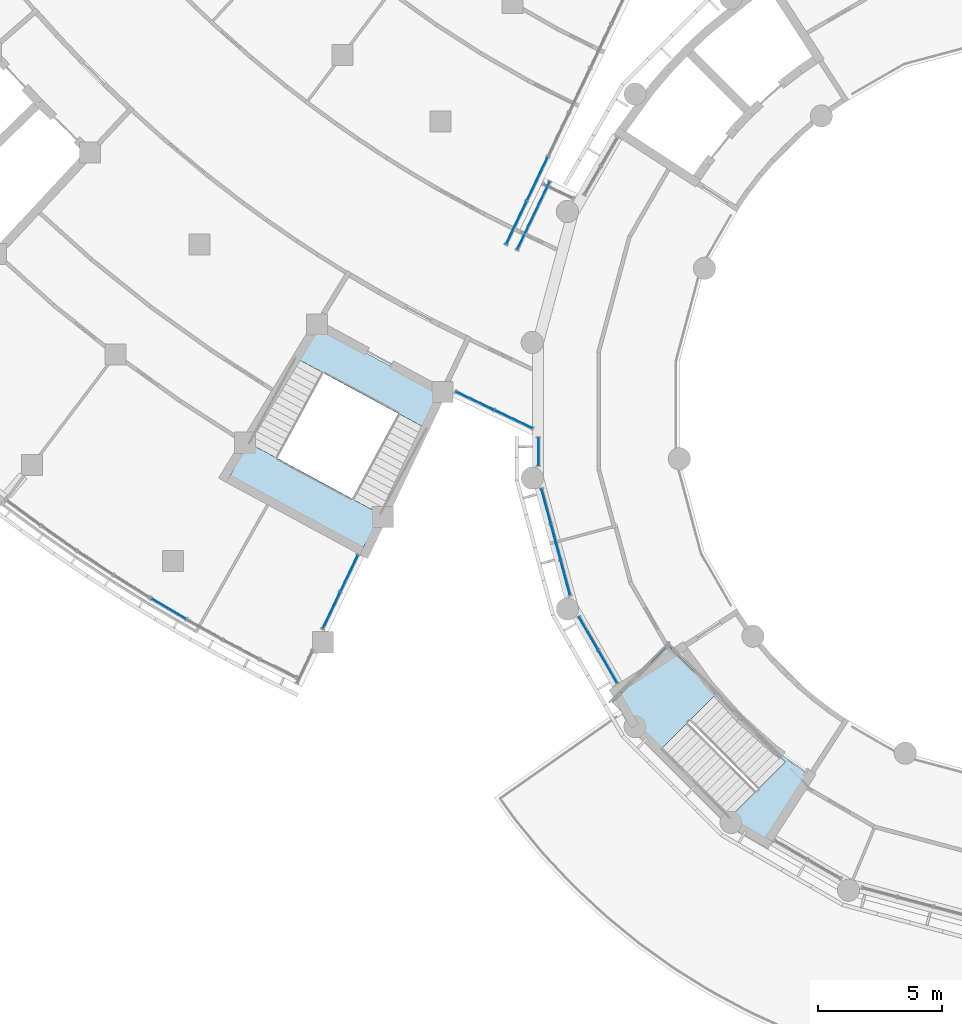
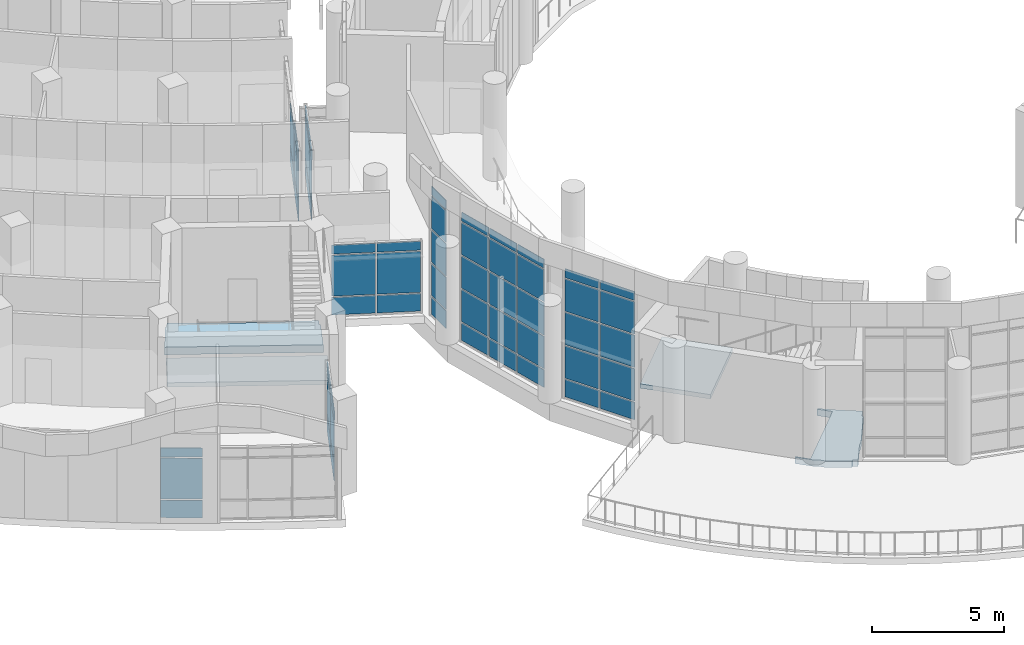
# One storey, part 43 of 136: 53 plates, 4 slabs, 10 elements without a shape of their own.
"""IFC4 building model written with IfcOpenShell, lengths in metres."""

from ifc_helpers import new_model, si_unit, direction, frame, origin, origin_2d, place, context, subcontext, project, spatial, polyline, rectangle, outline, extrude, material, layer, layer_set, type_object, element, aggregate, save


model = new_model("IFC4")

# Units and contexts
model_context = context("Model", 3, precision=1e-05, world=origin(), true_north=direction((0.0, 1.0)))
body_context = subcontext(model_context, "Body", "Model", "MODEL_VIEW")
ifc_project = project(units=[si_unit("LENGTHUNIT", "METRE"), si_unit("AREAUNIT", "SQUARE_METRE"), si_unit("VOLUMEUNIT", "CUBIC_METRE"), si_unit("PLANEANGLEUNIT", "RADIAN"), si_unit("MASSUNIT", "GRAM", prefix="KILO")], contexts=[model_context])

# Site, building, storey
site_placement = place(None, origin())
site = spatial("IfcSite", under=ifc_project, at=site_placement, CompositionType="ELEMENT")
building_placement = place(site_placement, origin())
building = spatial("IfcBuilding", under=site, at=building_placement, Name="Bougainvillea Quay General Hospital", CompositionType="ELEMENT")
storey_placement = place(building_placement, frame((0.0, 0.0, 5.39990234375)))
storey = spatial("IfcBuildingStorey", under=building, at=storey_placement, Name="L01", CompositionType="ELEMENT", Elevation=5.39990234375)

# Curtain wall, plates
ifc_material_1 = material(Name="Aluminium curtain wall system, powder-coated glazed", Category="aluminium")
curtain_wall_type_1 = type_object("IfcCurtainWallType", Name="Unitised curtain wall CW-2100", PredefinedType="NOTDEFINED", material=ifc_material_1)
curtain_wall_1_placement = place(storey_placement, origin())
curtain_wall_1 = element("IfcCurtainWall", 1, at=curtain_wall_1_placement, inside=storey, type_object=curtain_wall_type_1, Name="CW-W01 a01b0", PredefinedType="NOTDEFINED")
ifc_material_2 = material(Name="Insulated aluminium spandrel panel, white", Category="aluminium")
ifc_layer_1 = layer(ifc_material_2, 0.028076171875)
ifc_layer_set_1 = layer_set([ifc_layer_1], Name="Insulated aluminium spandrel panel, white")
plate_type_1 = type_object("IfcPlateType", Name="Insulated spandrel panel white 28", PredefinedType="CURTAIN_PANEL", material=ifc_layer_set_1)
plate_1_placement = place(storey_placement, frame((73.6884765625, 65.97265625, 0.06005859375), z_axis=(0.0, 0.0, 1.0), x_axis=(-0.860561565158, 0.509346436695, 0.0)))
plate_1 = element("IfcPlate", 2, at=plate_1_placement, type_object=plate_type_1, Name="CW-W01 spandrel panel 4.1", PredefinedType="CURTAIN_PANEL", context=body_context, shape_type="SweptSolid", body=[
    extrude(rectangle(XDim=1.593994140625, YDim=0.028076171875, at=origin_2d()), origin(), (0.0, 0.0, 1.0), 0.81005859375),
])
plate_2_placement = place(storey_placement, frame((73.6884765625, 65.97265625, 2.88037109375), z_axis=(0.0, 0.0, 1.0), x_axis=(-0.860561565158, 0.509346436695, 0.0)))
plate_2 = element("IfcPlate", 3, at=plate_2_placement, type_object=plate_type_1, Name="CW-W01 spandrel panel 4.3", PredefinedType="CURTAIN_PANEL", context=body_context, shape_type="SweptSolid", body=[
    extrude(rectangle(XDim=1.593994140625, YDim=0.028076171875, at=origin_2d()), origin(), (0.0, 0.0, 1.0), 0.409912109375),
])

curtain_wall_type_2 = type_object("IfcCurtainWallType", Name="Unitised curtain wall CW-1691", PredefinedType="NOTDEFINED", material=ifc_material_1)
curtain_wall_2_placement = place(storey_placement, origin())
curtain_wall_2 = element("IfcCurtainWall", 4, at=curtain_wall_2_placement, inside=storey, type_object=curtain_wall_type_2, Name="CW-AE 01", PredefinedType="NOTDEFINED")
plate_3_placement = place(storey_placement, frame((80.26123046875, 65.90966796875, 0.06005859375), z_axis=(0.0, 0.0, 1.0), x_axis=(0.430530445105, 0.902576055431, 0.0)))
plate_3 = element("IfcPlate", 5, at=plate_3_placement, type_object=plate_type_1, Name="CW-AE spandrel panel 1.1", PredefinedType="CURTAIN_PANEL", context=body_context, shape_type="SweptSolid", body=[
    extrude(rectangle(XDim=1.600341796875, YDim=0.028076171875, at=origin_2d()), origin(), (0.0, 0.0, 1.0), 0.81005859375),
])
plate_4_placement = place(storey_placement, frame((80.26123046875, 65.90966796875, 2.88037109375), z_axis=(0.0, 0.0, 1.0), x_axis=(0.430530445105, 0.902576055431, 0.0)))
plate_4 = element("IfcPlate", 6, at=plate_4_placement, type_object=plate_type_1, Name="CW-AE spandrel panel 1.3", PredefinedType="CURTAIN_PANEL", context=body_context, shape_type="SweptSolid", body=[
    extrude(rectangle(XDim=1.600341796875, YDim=0.028076171875, at=origin_2d()), origin(), (0.0, 0.0, 1.0), 0.409912109375),
])
plate_5_placement = place(storey_placement, frame((80.97607421875, 67.408203125, 0.06005859375), z_axis=(0.0, 0.0, 1.0), x_axis=(0.430530445105, 0.902576055431, 0.0)))
plate_5 = element("IfcPlate", 7, at=plate_5_placement, type_object=plate_type_1, Name="CW-AE spandrel panel 2.1", PredefinedType="CURTAIN_PANEL", context=body_context, shape_type="SweptSolid", body=[
    extrude(rectangle(XDim=1.600341796875, YDim=0.028076171875, at=origin_2d()), origin(), (0.0, 0.0, 1.0), 0.81005859375),
])
plate_6_placement = place(storey_placement, frame((80.97607421875, 67.408203125, 2.88037109375), z_axis=(0.0, 0.0, 1.0), x_axis=(0.430530445105, 0.902576055431, 0.0)))
plate_6 = element("IfcPlate", 8, at=plate_6_placement, type_object=plate_type_1, Name="CW-AE spandrel panel 2.3", PredefinedType="CURTAIN_PANEL", context=body_context, shape_type="SweptSolid", body=[
    extrude(rectangle(XDim=1.600341796875, YDim=0.028076171875, at=origin_2d()), origin(), (0.0, 0.0, 1.0), 0.409912109375),
])

curtain_wall_type_3 = type_object("IfcCurtainWallType", Name="Unitised curtain wall CW-1757", PredefinedType="NOTDEFINED", material=ifc_material_1)
curtain_wall_3_placement = place(storey_placement, origin())
curtain_wall_3 = element("IfcCurtainWall", 9, at=curtain_wall_3_placement, inside=storey, type_object=curtain_wall_type_3, Name="CW-AE 00", PredefinedType="NOTDEFINED")
plate_7_placement = place(storey_placement, frame((86.062744140625, 74.382568359375, 0.06005859375), z_axis=(0.0, 0.0, 1.0), x_axis=(0.902608211345, -0.430463026068, 0.0)))
plate_7 = element("IfcPlate", 10, at=plate_7_placement, type_object=plate_type_1, Name="CW-AE spandrel panel 1.1", PredefinedType="CURTAIN_PANEL", context=body_context, shape_type="SweptSolid", body=[
    extrude(rectangle(XDim=1.666748046875, YDim=0.028076171875, at=origin_2d()), origin(), (0.0, 0.0, 1.0), 0.81005859375),
])
plate_8_placement = place(storey_placement, frame((86.062744140625, 74.382568359375, 2.88037109375), z_axis=(0.0, 0.0, 1.0), x_axis=(0.902608211345, -0.430463026068, 0.0)))
plate_8 = element("IfcPlate", 11, at=plate_8_placement, type_object=plate_type_1, Name="CW-AE spandrel panel 1.3", PredefinedType="CURTAIN_PANEL", context=body_context, shape_type="SweptSolid", body=[
    extrude(rectangle(XDim=1.666748046875, YDim=0.028076171875, at=origin_2d()), origin(), (0.0, 0.0, 1.0), 0.409912109375),
])
plate_9_placement = place(storey_placement, frame((87.621337890625, 73.63916015625, 0.06005859375), z_axis=(0.0, 0.0, 1.0), x_axis=(0.902608211345, -0.430463026068, 0.0)))
plate_9 = element("IfcPlate", 12, at=plate_9_placement, type_object=plate_type_1, Name="CW-AE spandrel panel 2.1", PredefinedType="CURTAIN_PANEL", context=body_context, shape_type="SweptSolid", body=[
    extrude(rectangle(XDim=1.666748046875, YDim=0.028076171875, at=origin_2d()), origin(), (0.0, 0.0, 1.0), 0.81005859375),
])
plate_10_placement = place(storey_placement, frame((87.621337890625, 73.63916015625, 2.88037109375), z_axis=(0.0, 0.0, 1.0), x_axis=(0.902608211345, -0.430463026068, 0.0)))
plate_10 = element("IfcPlate", 13, at=plate_10_placement, type_object=plate_type_1, Name="CW-AE spandrel panel 2.3", PredefinedType="CURTAIN_PANEL", context=body_context, shape_type="SweptSolid", body=[
    extrude(rectangle(XDim=1.666748046875, YDim=0.028076171875, at=origin_2d()), origin(), (0.0, 0.0, 1.0), 0.409912109375),
])

curtain_wall_type_4 = type_object("IfcCurtainWallType", Name="Unitised curtain wall CW-3140", PredefinedType="NOTDEFINED", material=ifc_material_1)
curtain_wall_4_placement = place(storey_placement, origin())
curtain_wall_4 = element("IfcCurtainWall", 14, at=curtain_wall_4_placement, inside=storey, type_object=curtain_wall_type_4, Name="CW-AE 00", PredefinedType="NOTDEFINED")
plate_11_placement = place(storey_placement, frame((88.4296875, 81.873779296875, 0.06005859375), z_axis=(0.0, 0.0, 1.0), x_axis=(-0.430700101624, -0.902495109384, 0.0)))
plate_11 = element("IfcPlate", 15, at=plate_11_placement, type_object=plate_type_1, Name="CW-AE spandrel panel 1.1", PredefinedType="CURTAIN_PANEL", context=body_context, shape_type="SweptSolid", body=[
    extrude(rectangle(XDim=3.01904296875, YDim=0.028076171875, at=origin_2d()), origin(), (0.0, 0.0, 1.0), 0.81005859375),
])
plate_12_placement = place(storey_placement, frame((88.4296875, 81.873779296875, 2.88037109375), z_axis=(0.0, 0.0, 1.0), x_axis=(-0.430700101624, -0.902495109384, 0.0)))
plate_12 = element("IfcPlate", 16, at=plate_12_placement, type_object=plate_type_1, Name="CW-AE spandrel panel 1.3", PredefinedType="CURTAIN_PANEL", context=body_context, shape_type="SweptSolid", body=[
    extrude(rectangle(XDim=3.01904296875, YDim=0.028076171875, at=origin_2d()), origin(), (0.0, 0.0, 1.0), 0.409912109375),
])

curtain_wall_type_5 = type_object("IfcCurtainWallType", Name="Unitised curtain wall CW-1985", PredefinedType="NOTDEFINED", material=ifc_material_1)
curtain_wall_5_placement = place(storey_placement, origin())
curtain_wall_5 = element("IfcCurtainWall", 17, at=curtain_wall_5_placement, inside=storey, type_object=curtain_wall_type_5, Name="CW-AE 00", PredefinedType="NOTDEFINED")
plate_13_placement = place(storey_placement, frame((87.736083984375, 81.58203125, 0.06005859375), z_axis=(0.0, 0.0, 1.0), x_axis=(0.430563040838, 0.902560506484, 0.0)))
plate_13 = element("IfcPlate", 18, at=plate_13_placement, type_object=plate_type_1, Name="CW-AE spandrel panel 1.1", PredefinedType="CURTAIN_PANEL", context=body_context, shape_type="SweptSolid", body=[
    extrude(rectangle(XDim=1.894775390625, YDim=0.028076171875, at=origin_2d()), origin(), (0.0, 0.0, 1.0), 0.81005859375),
])
plate_14_placement = place(storey_placement, frame((87.736083984375, 81.58203125, 2.88037109375), z_axis=(0.0, 0.0, 1.0), x_axis=(0.430563040838, 0.902560506484, 0.0)))
plate_14 = element("IfcPlate", 19, at=plate_14_placement, type_object=plate_type_1, Name="CW-AE spandrel panel 1.3", PredefinedType="CURTAIN_PANEL", context=body_context, shape_type="SweptSolid", body=[
    extrude(rectangle(XDim=1.894775390625, YDim=0.028076171875, at=origin_2d()), origin(), (0.0, 0.0, 1.0), 0.409912109375),
])
plate_15_placement = place(storey_placement, frame((88.584228515625, 83.35986328125, 0.06005859375), z_axis=(0.0, 0.0, 1.0), x_axis=(0.430563040838, 0.902560506484, 0.0)))
plate_15 = element("IfcPlate", 20, at=plate_15_placement, type_object=plate_type_1, Name="CW-AE spandrel panel 2.1", PredefinedType="CURTAIN_PANEL", context=body_context, shape_type="SweptSolid", body=[
    extrude(rectangle(XDim=1.9248046875, YDim=0.028076171875, at=origin_2d()), origin(), (0.0, 0.0, 1.0), 0.81005859375),
])

curtain_wall_type_6 = type_object("IfcCurtainWallType", Name="Unitised curtain wall CW-1211", PredefinedType="NOTDEFINED", material=ifc_material_1)
curtain_wall_6_placement = place(storey_placement, origin())
curtain_wall_6 = element("IfcCurtainWall", 21, at=curtain_wall_6_placement, inside=storey, type_object=curtain_wall_type_6, Name="CW-D 00", PredefinedType="NOTDEFINED")
plate_16_placement = place(storey_placement, frame((88.6298828125, 72.33447265625, 0.06005859375), z_axis=(0.0, 0.0, 1.0), x_axis=(0.0, -1.0, 0.0)))
plate_16 = element("IfcPlate", 22, at=plate_16_placement, type_object=plate_type_1, Name="CW-D spandrel panel 1.1", PredefinedType="CURTAIN_PANEL", context=body_context, shape_type="SweptSolid", body=[
    extrude(rectangle(XDim=1.091064453125, YDim=0.028076171875, at=origin_2d()), origin(), (0.0, 0.0, 1.0), 0.81005859375),
])
plate_17_placement = place(storey_placement, frame((88.6298828125, 72.33447265625, 5.580078125), z_axis=(0.0, 0.0, 1.0), x_axis=(0.0, -1.0, 0.0)))
plate_17 = element("IfcPlate", 23, at=plate_17_placement, type_object=plate_type_1, Name="CW-D spandrel panel 1.5", PredefinedType="CURTAIN_PANEL", context=body_context, shape_type="SweptSolid", body=[
    extrude(rectangle(XDim=1.091064453125, YDim=0.028076171875, at=origin_2d()), origin(), (0.0, 0.0, 1.0), 0.409912109375),
])

curtain_wall_type_7 = type_object("IfcCurtainWallType", Name="Unitised curtain wall CW-1514", PredefinedType="NOTDEFINED", material=ifc_material_1)
curtain_wall_7_placement = place(storey_placement, origin())
curtain_wall_7 = element("IfcCurtainWall", 24, at=curtain_wall_7_placement, inside=storey, type_object=curtain_wall_type_7, Name="CW-D 00", PredefinedType="NOTDEFINED")
plate_18_placement = place(storey_placement, frame((88.94287109375, 70.1240234375, 0.06005859375), z_axis=(0.0, 0.0, 1.0), x_axis=(0.258854621298, -0.965916292974, 0.0)))
plate_18 = element("IfcPlate", 25, at=plate_18_placement, type_object=plate_type_1, Name="CW-D spandrel panel 1.1", PredefinedType="CURTAIN_PANEL", context=body_context, shape_type="SweptSolid", body=[
    extrude(rectangle(XDim=1.423828125, YDim=0.028076171875, at=origin_2d()), origin(), (0.0, 0.0, 1.0), 0.81005859375),
])
plate_19_placement = place(storey_placement, frame((88.94287109375, 70.1240234375, 5.580078125), z_axis=(0.0, 0.0, 1.0), x_axis=(0.258854621298, -0.965916292974, 0.0)))
plate_19 = element("IfcPlate", 26, at=plate_19_placement, type_object=plate_type_1, Name="CW-D spandrel panel 1.5", PredefinedType="CURTAIN_PANEL", context=body_context, shape_type="SweptSolid", body=[
    extrude(rectangle(XDim=1.423828125, YDim=0.028076171875, at=origin_2d()), origin(), (0.0, 0.0, 1.0), 0.409912109375),
])
plate_20_placement = place(storey_placement, frame((89.3310546875, 68.67626953125, 0.06005859375), z_axis=(0.0, 0.0, 1.0), x_axis=(0.258854621298, -0.965916292974, 0.0)))
plate_20 = element("IfcPlate", 27, at=plate_20_placement, type_object=plate_type_1, Name="CW-D spandrel panel 2.1", PredefinedType="CURTAIN_PANEL", context=body_context, shape_type="SweptSolid", body=[
    extrude(rectangle(XDim=1.453857421875, YDim=0.028076171875, at=origin_2d()), origin(), (0.0, 0.0, 1.0), 0.81005859375),
])
plate_21_placement = place(storey_placement, frame((89.3310546875, 68.67626953125, 5.580078125), z_axis=(0.0, 0.0, 1.0), x_axis=(0.258854621298, -0.965916292974, 0.0)))
plate_21 = element("IfcPlate", 28, at=plate_21_placement, type_object=plate_type_1, Name="CW-D spandrel panel 2.5", PredefinedType="CURTAIN_PANEL", context=body_context, shape_type="SweptSolid", body=[
    extrude(rectangle(XDim=1.453857421875, YDim=0.028076171875, at=origin_2d()), origin(), (0.0, 0.0, 1.0), 0.409912109375),
])
plate_22_placement = place(storey_placement, frame((89.718994140625, 67.228271484375, 0.06005859375), z_axis=(0.0, 0.0, 1.0), x_axis=(0.258854621298, -0.965916292974, 0.0)))
plate_22 = element("IfcPlate", 29, at=plate_22_placement, type_object=plate_type_1, Name="CW-D spandrel panel 3.1", PredefinedType="CURTAIN_PANEL", context=body_context, shape_type="SweptSolid", body=[
    extrude(rectangle(XDim=1.423828125, YDim=0.028076171875, at=origin_2d()), origin(), (0.0, 0.0, 1.0), 0.81005859375),
])
plate_23_placement = place(storey_placement, frame((89.718994140625, 67.228271484375, 5.580078125), z_axis=(0.0, 0.0, 1.0), x_axis=(0.258854621298, -0.965916292974, 0.0)))
plate_23 = element("IfcPlate", 30, at=plate_23_placement, type_object=plate_type_1, Name="CW-D spandrel panel 3.5", PredefinedType="CURTAIN_PANEL", context=body_context, shape_type="SweptSolid", body=[
    extrude(rectangle(XDim=1.423828125, YDim=0.028076171875, at=origin_2d()), origin(), (0.0, 0.0, 1.0), 0.409912109375),
])

curtain_wall_type_8 = type_object("IfcCurtainWallType", Name="Unitised curtain wall CW-1585", PredefinedType="NOTDEFINED", material=ifc_material_1)
curtain_wall_8_placement = place(storey_placement, origin())
curtain_wall_8 = element("IfcCurtainWall", 31, at=curtain_wall_8_placement, inside=storey, type_object=curtain_wall_type_8, Name="CW-D 00", PredefinedType="NOTDEFINED")
plate_24_placement = place(storey_placement, frame((90.654296875, 64.982666015625, 0.06005859375), z_axis=(0.0, 0.0, 1.0), x_axis=(0.499964557262, -0.866045865692, 0.0)))
plate_24 = element("IfcPlate", 32, at=plate_24_placement, type_object=plate_type_1, Name="CW-D spandrel panel 1.1", PredefinedType="CURTAIN_PANEL", context=body_context, shape_type="SweptSolid", body=[
    extrude(rectangle(XDim=1.494873046875, YDim=0.028076171875, at=origin_2d()), origin(), (0.0, 0.0, 1.0), 0.81005859375),
])
plate_25_placement = place(storey_placement, frame((90.654296875, 64.982666015625, 5.580078125), z_axis=(0.0, 0.0, 1.0), x_axis=(0.499964557262, -0.866045865692, 0.0)))
plate_25 = element("IfcPlate", 33, at=plate_25_placement, type_object=plate_type_1, Name="CW-D spandrel panel 1.5", PredefinedType="CURTAIN_PANEL", context=body_context, shape_type="SweptSolid", body=[
    extrude(rectangle(XDim=1.494873046875, YDim=0.028076171875, at=origin_2d()), origin(), (0.0, 0.0, 1.0), 0.409912109375),
])
plate_26_placement = place(storey_placement, frame((91.431640625, 63.635986328125, 0.06005859375), z_axis=(0.0, 0.0, 1.0), x_axis=(0.499964557262, -0.866045865692, 0.0)))
plate_26 = element("IfcPlate", 34, at=plate_26_placement, type_object=plate_type_1, Name="CW-D spandrel panel 2.1", PredefinedType="CURTAIN_PANEL", context=body_context, shape_type="SweptSolid", body=[
    extrude(rectangle(XDim=1.494873046875, YDim=0.028076171875, at=origin_2d()), origin(), (0.0, 0.0, 1.0), 0.81005859375),
])
plate_27_placement = place(storey_placement, frame((91.431640625, 63.635986328125, 5.580078125), z_axis=(0.0, 0.0, 1.0), x_axis=(0.499964557262, -0.866045865692, 0.0)))
plate_27 = element("IfcPlate", 35, at=plate_27_placement, type_object=plate_type_1, Name="CW-D spandrel panel 2.5", PredefinedType="CURTAIN_PANEL", context=body_context, shape_type="SweptSolid", body=[
    extrude(rectangle(XDim=1.494873046875, YDim=0.028076171875, at=origin_2d()), origin(), (0.0, 0.0, 1.0), 0.409912109375),
])

# Plate
ifc_material_3 = material(Name="Low-e laminated glass, solar control", Category="glass")
ifc_layer_2 = layer(ifc_material_3, 0.028076171875)
ifc_layer_set_2 = layer_set([ifc_layer_2], Name="Low-e laminated glass, solar control")
plate_type_2 = type_object("IfcPlateType", Name="Low-e laminated vision glass 28", PredefinedType="CURTAIN_PANEL", material=ifc_layer_set_2)
plate_28_placement = place(storey_placement, frame((73.6884765625, 65.97265625, 0.93017578125), z_axis=(0.0, 0.0, 1.0), x_axis=(-0.860561565158, 0.509346436695, 0.0)))
plate_28 = element("IfcPlate", 36, at=plate_28_placement, type_object=plate_type_2, Name="CW-W01 vision glass panel 4.2", PredefinedType="CURTAIN_PANEL", context=body_context, shape_type="SweptSolid", body=[
    extrude(rectangle(XDim=1.593994140625, YDim=0.028076171875, at=origin_2d()), origin(), (0.0, 0.0, 1.0), 1.889892578125),
])

aggregate(curtain_wall_1, [plate_1, plate_28, plate_2])

plate_29_placement = place(storey_placement, frame((80.26123046875, 65.90966796875, 0.93017578125), z_axis=(0.0, 0.0, 1.0), x_axis=(0.430530445105, 0.902576055431, 0.0)))
plate_29 = element("IfcPlate", 37, at=plate_29_placement, type_object=plate_type_2, Name="CW-AE vision glass panel 1.2", PredefinedType="CURTAIN_PANEL", context=body_context, shape_type="SweptSolid", body=[
    extrude(rectangle(XDim=1.600341796875, YDim=0.028076171875, at=origin_2d()), origin(), (0.0, 0.0, 1.0), 1.889892578125),
])

plate_30_placement = place(storey_placement, frame((80.97607421875, 67.408203125, 0.93017578125), z_axis=(0.0, 0.0, 1.0), x_axis=(0.430530445105, 0.902576055431, 0.0)))
plate_30 = element("IfcPlate", 38, at=plate_30_placement, type_object=plate_type_2, Name="CW-AE vision glass panel 2.2", PredefinedType="CURTAIN_PANEL", context=body_context, shape_type="SweptSolid", body=[
    extrude(rectangle(XDim=1.600341796875, YDim=0.028076171875, at=origin_2d()), origin(), (0.0, 0.0, 1.0), 1.889892578125),
])

aggregate(curtain_wall_2, [plate_3, plate_29, plate_4, plate_5, plate_30, plate_6])

plate_31_placement = place(storey_placement, frame((86.062744140625, 74.382568359375, 0.93017578125), z_axis=(0.0, 0.0, 1.0), x_axis=(0.902608211345, -0.430463026068, 0.0)))
plate_31 = element("IfcPlate", 39, at=plate_31_placement, type_object=plate_type_2, Name="CW-AE vision glass panel 1.2", PredefinedType="CURTAIN_PANEL", context=body_context, shape_type="SweptSolid", body=[
    extrude(rectangle(XDim=1.666748046875, YDim=0.028076171875, at=origin_2d()), origin(), (0.0, 0.0, 1.0), 1.889892578125),
])

plate_32_placement = place(storey_placement, frame((87.621337890625, 73.63916015625, 0.93017578125), z_axis=(0.0, 0.0, 1.0), x_axis=(0.902608211345, -0.430463026068, 0.0)))
plate_32 = element("IfcPlate", 40, at=plate_32_placement, type_object=plate_type_2, Name="CW-AE vision glass panel 2.2", PredefinedType="CURTAIN_PANEL", context=body_context, shape_type="SweptSolid", body=[
    extrude(rectangle(XDim=1.666748046875, YDim=0.028076171875, at=origin_2d()), origin(), (0.0, 0.0, 1.0), 1.889892578125),
])

aggregate(curtain_wall_3, [plate_7, plate_31, plate_8, plate_9, plate_32, plate_10])

plate_33_placement = place(storey_placement, frame((88.4296875, 81.873779296875, 0.93017578125), z_axis=(0.0, 0.0, 1.0), x_axis=(-0.430700101624, -0.902495109384, 0.0)))
plate_33 = element("IfcPlate", 41, at=plate_33_placement, type_object=plate_type_2, Name="CW-AE vision glass panel 1.2", PredefinedType="CURTAIN_PANEL", context=body_context, shape_type="SweptSolid", body=[
    extrude(rectangle(XDim=3.01904296875, YDim=0.028076171875, at=origin_2d()), origin(), (0.0, 0.0, 1.0), 1.889892578125),
])

aggregate(curtain_wall_4, [plate_11, plate_33, plate_12])

plate_34_placement = place(storey_placement, frame((87.736083984375, 81.58203125, 0.93017578125), z_axis=(0.0, 0.0, 1.0), x_axis=(0.430563040838, 0.902560506484, 0.0)))
plate_34 = element("IfcPlate", 42, at=plate_34_placement, type_object=plate_type_2, Name="CW-AE vision glass panel 1.2", PredefinedType="CURTAIN_PANEL", context=body_context, shape_type="SweptSolid", body=[
    extrude(rectangle(XDim=1.894775390625, YDim=0.028076171875, at=origin_2d()), origin(), (0.0, 0.0, 1.0), 1.889892578125),
])

plate_35_placement = place(storey_placement, frame((88.584228515625, 83.35986328125, 0.93017578125), z_axis=(0.0, 0.0, 1.0), x_axis=(0.430563040838, 0.902560506484, 0.0)))
plate_35 = element("IfcPlate", 43, at=plate_35_placement, type_object=plate_type_2, Name="CW-AE vision glass panel 2.2", PredefinedType="CURTAIN_PANEL", context=body_context, shape_type="SweptSolid", body=[
    extrude(rectangle(XDim=1.9248046875, YDim=0.028076171875, at=origin_2d()), origin(), (0.0, 0.0, 1.0), 1.889892578125),
])

aggregate(curtain_wall_5, [plate_13, plate_34, plate_14, plate_15, plate_35])

plate_36_placement = place(storey_placement, frame((88.6298828125, 72.33447265625, 0.93017578125), z_axis=(0.0, 0.0, 1.0), x_axis=(0.0, -1.0, 0.0)))
plate_36 = element("IfcPlate", 44, at=plate_36_placement, type_object=plate_type_2, Name="CW-D vision glass panel 1.2", PredefinedType="CURTAIN_PANEL", context=body_context, shape_type="SweptSolid", body=[
    extrude(rectangle(XDim=1.091064453125, YDim=0.028076171875, at=origin_2d()), origin(), (0.0, 0.0, 1.0), 1.489990234375),
])

plate_37_placement = place(storey_placement, frame((88.6298828125, 72.33447265625, 2.47998046875), z_axis=(0.0, 0.0, 1.0), x_axis=(0.0, -1.0, 0.0)))
plate_37 = element("IfcPlate", 45, at=plate_37_placement, type_object=plate_type_2, Name="CW-D vision glass panel 1.3", PredefinedType="CURTAIN_PANEL", context=body_context, shape_type="SweptSolid", body=[
    extrude(rectangle(XDim=1.091064453125, YDim=0.028076171875, at=origin_2d()), origin(), (0.0, 0.0, 1.0), 1.489990234375),
])

plate_38_placement = place(storey_placement, frame((88.6298828125, 72.33447265625, 4.0302734375), z_axis=(0.0, 0.0, 1.0), x_axis=(0.0, -1.0, 0.0)))
plate_38 = element("IfcPlate", 46, at=plate_38_placement, type_object=plate_type_2, Name="CW-D vision glass panel 1.4", PredefinedType="CURTAIN_PANEL", context=body_context, shape_type="SweptSolid", body=[
    extrude(rectangle(XDim=1.091064453125, YDim=0.028076171875, at=origin_2d()), origin(), (0.0, 0.0, 1.0), 1.489990234375),
])

aggregate(curtain_wall_6, [plate_16, plate_36, plate_37, plate_38, plate_17])

plate_39_placement = place(storey_placement, frame((88.94287109375, 70.1240234375, 0.93017578125), z_axis=(0.0, 0.0, 1.0), x_axis=(0.258854621298, -0.965916292974, 0.0)))
plate_39 = element("IfcPlate", 47, at=plate_39_placement, type_object=plate_type_2, Name="CW-D vision glass panel 1.2", PredefinedType="CURTAIN_PANEL", context=body_context, shape_type="SweptSolid", body=[
    extrude(rectangle(XDim=1.423828125, YDim=0.028076171875, at=origin_2d()), origin(), (0.0, 0.0, 1.0), 1.489990234375),
])

plate_40_placement = place(storey_placement, frame((88.94287109375, 70.1240234375, 2.47998046875), z_axis=(0.0, 0.0, 1.0), x_axis=(0.258854621298, -0.965916292974, 0.0)))
plate_40 = element("IfcPlate", 48, at=plate_40_placement, type_object=plate_type_2, Name="CW-D vision glass panel 1.3", PredefinedType="CURTAIN_PANEL", context=body_context, shape_type="SweptSolid", body=[
    extrude(rectangle(XDim=1.423828125, YDim=0.028076171875, at=origin_2d()), origin(), (0.0, 0.0, 1.0), 1.489990234375),
])

plate_41_placement = place(storey_placement, frame((88.94287109375, 70.1240234375, 4.0302734375), z_axis=(0.0, 0.0, 1.0), x_axis=(0.258854621298, -0.965916292974, 0.0)))
plate_41 = element("IfcPlate", 49, at=plate_41_placement, type_object=plate_type_2, Name="CW-D vision glass panel 1.4", PredefinedType="CURTAIN_PANEL", context=body_context, shape_type="SweptSolid", body=[
    extrude(rectangle(XDim=1.423828125, YDim=0.028076171875, at=origin_2d()), origin(), (0.0, 0.0, 1.0), 1.489990234375),
])

plate_42_placement = place(storey_placement, frame((89.3310546875, 68.67626953125, 0.93017578125), z_axis=(0.0, 0.0, 1.0), x_axis=(0.258854621298, -0.965916292974, 0.0)))
plate_42 = element("IfcPlate", 50, at=plate_42_placement, type_object=plate_type_2, Name="CW-D vision glass panel 2.2", PredefinedType="CURTAIN_PANEL", context=body_context, shape_type="SweptSolid", body=[
    extrude(rectangle(XDim=1.453857421875, YDim=0.028076171875, at=origin_2d()), origin(), (0.0, 0.0, 1.0), 1.489990234375),
])

plate_43_placement = place(storey_placement, frame((89.3310546875, 68.67626953125, 2.47998046875), z_axis=(0.0, 0.0, 1.0), x_axis=(0.258854621298, -0.965916292974, 0.0)))
plate_43 = element("IfcPlate", 51, at=plate_43_placement, type_object=plate_type_2, Name="CW-D vision glass panel 2.3", PredefinedType="CURTAIN_PANEL", context=body_context, shape_type="SweptSolid", body=[
    extrude(rectangle(XDim=1.453857421875, YDim=0.028076171875, at=origin_2d()), origin(), (0.0, 0.0, 1.0), 1.489990234375),
])

plate_44_placement = place(storey_placement, frame((89.3310546875, 68.67626953125, 4.0302734375), z_axis=(0.0, 0.0, 1.0), x_axis=(0.258854621298, -0.965916292974, 0.0)))
plate_44 = element("IfcPlate", 52, at=plate_44_placement, type_object=plate_type_2, Name="CW-D vision glass panel 2.4", PredefinedType="CURTAIN_PANEL", context=body_context, shape_type="SweptSolid", body=[
    extrude(rectangle(XDim=1.453857421875, YDim=0.028076171875, at=origin_2d()), origin(), (0.0, 0.0, 1.0), 1.489990234375),
])

plate_45_placement = place(storey_placement, frame((89.718994140625, 67.228271484375, 0.93017578125), z_axis=(0.0, 0.0, 1.0), x_axis=(0.258854621298, -0.965916292974, 0.0)))
plate_45 = element("IfcPlate", 53, at=plate_45_placement, type_object=plate_type_2, Name="CW-D vision glass panel 3.2", PredefinedType="CURTAIN_PANEL", context=body_context, shape_type="SweptSolid", body=[
    extrude(rectangle(XDim=1.423828125, YDim=0.028076171875, at=origin_2d()), origin(), (0.0, 0.0, 1.0), 1.489990234375),
])

plate_46_placement = place(storey_placement, frame((89.718994140625, 67.228271484375, 2.47998046875), z_axis=(0.0, 0.0, 1.0), x_axis=(0.258854621298, -0.965916292974, 0.0)))
plate_46 = element("IfcPlate", 54, at=plate_46_placement, type_object=plate_type_2, Name="CW-D vision glass panel 3.3", PredefinedType="CURTAIN_PANEL", context=body_context, shape_type="SweptSolid", body=[
    extrude(rectangle(XDim=1.423828125, YDim=0.028076171875, at=origin_2d()), origin(), (0.0, 0.0, 1.0), 1.489990234375),
])

plate_47_placement = place(storey_placement, frame((89.718994140625, 67.228271484375, 4.0302734375), z_axis=(0.0, 0.0, 1.0), x_axis=(0.258854621298, -0.965916292974, 0.0)))
plate_47 = element("IfcPlate", 55, at=plate_47_placement, type_object=plate_type_2, Name="CW-D vision glass panel 3.4", PredefinedType="CURTAIN_PANEL", context=body_context, shape_type="SweptSolid", body=[
    extrude(rectangle(XDim=1.423828125, YDim=0.028076171875, at=origin_2d()), origin(), (0.0, 0.0, 1.0), 1.489990234375),
])

aggregate(curtain_wall_7, [plate_18, plate_39, plate_40, plate_41, plate_19, plate_20, plate_42, plate_43, plate_44, plate_21, plate_22, plate_45, plate_46, plate_47, plate_23])

plate_48_placement = place(storey_placement, frame((90.654296875, 64.982666015625, 0.93017578125), z_axis=(0.0, 0.0, 1.0), x_axis=(0.499964557262, -0.866045865692, 0.0)))
plate_48 = element("IfcPlate", 56, at=plate_48_placement, type_object=plate_type_2, Name="CW-D vision glass panel 1.2", PredefinedType="CURTAIN_PANEL", context=body_context, shape_type="SweptSolid", body=[
    extrude(rectangle(XDim=1.494873046875, YDim=0.028076171875, at=origin_2d()), origin(), (0.0, 0.0, 1.0), 1.489990234375),
])

plate_49_placement = place(storey_placement, frame((90.654296875, 64.982666015625, 2.47998046875), z_axis=(0.0, 0.0, 1.0), x_axis=(0.499964557262, -0.866045865692, 0.0)))
plate_49 = element("IfcPlate", 57, at=plate_49_placement, type_object=plate_type_2, Name="CW-D vision glass panel 1.3", PredefinedType="CURTAIN_PANEL", context=body_context, shape_type="SweptSolid", body=[
    extrude(rectangle(XDim=1.494873046875, YDim=0.028076171875, at=origin_2d()), origin(), (0.0, 0.0, 1.0), 1.489990234375),
])

plate_50_placement = place(storey_placement, frame((90.654296875, 64.982666015625, 4.0302734375), z_axis=(0.0, 0.0, 1.0), x_axis=(0.499964557262, -0.866045865692, 0.0)))
plate_50 = element("IfcPlate", 58, at=plate_50_placement, type_object=plate_type_2, Name="CW-D vision glass panel 1.4", PredefinedType="CURTAIN_PANEL", context=body_context, shape_type="SweptSolid", body=[
    extrude(rectangle(XDim=1.494873046875, YDim=0.028076171875, at=origin_2d()), origin(), (0.0, 0.0, 1.0), 1.489990234375),
])

plate_51_placement = place(storey_placement, frame((91.431640625, 63.635986328125, 0.93017578125), z_axis=(0.0, 0.0, 1.0), x_axis=(0.499964557262, -0.866045865692, 0.0)))
plate_51 = element("IfcPlate", 59, at=plate_51_placement, type_object=plate_type_2, Name="CW-D vision glass panel 2.2", PredefinedType="CURTAIN_PANEL", context=body_context, shape_type="SweptSolid", body=[
    extrude(rectangle(XDim=1.494873046875, YDim=0.028076171875, at=origin_2d()), origin(), (0.0, 0.0, 1.0), 1.489990234375),
])

plate_52_placement = place(storey_placement, frame((91.431640625, 63.635986328125, 2.47998046875), z_axis=(0.0, 0.0, 1.0), x_axis=(0.499964557262, -0.866045865692, 0.0)))
plate_52 = element("IfcPlate", 60, at=plate_52_placement, type_object=plate_type_2, Name="CW-D vision glass panel 2.3", PredefinedType="CURTAIN_PANEL", context=body_context, shape_type="SweptSolid", body=[
    extrude(rectangle(XDim=1.494873046875, YDim=0.028076171875, at=origin_2d()), origin(), (0.0, 0.0, 1.0), 1.489990234375),
])

plate_53_placement = place(storey_placement, frame((91.431640625, 63.635986328125, 4.0302734375), z_axis=(0.0, 0.0, 1.0), x_axis=(0.499964557262, -0.866045865692, 0.0)))
plate_53 = element("IfcPlate", 61, at=plate_53_placement, type_object=plate_type_2, Name="CW-D vision glass panel 2.4", PredefinedType="CURTAIN_PANEL", context=body_context, shape_type="SweptSolid", body=[
    extrude(rectangle(XDim=1.494873046875, YDim=0.028076171875, at=origin_2d()), origin(), (0.0, 0.0, 1.0), 1.489990234375),
])

aggregate(curtain_wall_8, [plate_24, plate_48, plate_49, plate_50, plate_25, plate_26, plate_51, plate_52, plate_53, plate_27])

# Slabs
ifc_material_4 = material(Name="Concrete C35", Category="concrete")
ifc_layer_3 = layer(ifc_material_4, 0.300048828125)
ifc_layer_set_3 = layer_set([ifc_layer_3], Name="Concrete C35")
slab_type_1 = type_object("IfcSlabType", Name="RC FLAT SLAB 300 C35", PredefinedType="FLOOR", material=ifc_layer_set_3)
slab_1_placement = place(storey_placement, frame((0.0, 0.0, -0.2998046875)))
element("IfcSlab", 62, at=slab_1_placement, inside=storey, type_object=slab_type_1, Name="Stair landing floor ST-H2 L01", PredefinedType="FLOOR", context=body_context, shape_type="SweptSolid", body=[
    extrude(outline(polyline([(97.6240234375, 56.5849609375), (96.727783203125, 57.102294921875), (96.59130859375, 57.239013671875), (96.416015625, 57.340087890625), (95.869873046875, 57.885986328125), (95.904296875, 57.92431640625), (96.329345703125, 57.499755859375), (98.611328125, 59.781982421875), (98.18701171875, 60.206787109375), (98.226806640625, 60.242919921875), (98.85498046875, 59.760986328125), (99.614013671875, 59.239013671875), (99.4326171875, 58.959716796875), (99.46875, 58.923583984375), (98.553955078125, 57.514892578125), (98.3837890625, 57.3447265625), (97.844970703125, 56.514892578125), (97.66064453125, 56.62158203125), (97.6240234375, 56.5849609375)])), origin(), (0.0, 0.0, 1.0), 0.2998046875),
])
ifc_layer_4 = layer(ifc_material_4, 0.35009765625)
ifc_layer_set_4 = layer_set([ifc_layer_4], Name="Concrete C35")
slab_type_2 = type_object("IfcSlabType", Name="RC FLAT SLAB 350 C35", PredefinedType="FLOOR", material=ifc_layer_set_4)
slab_2_placement = place(storey_placement, frame((0.0, 0.0, -0.349853515625)))
element("IfcSlab", 63, at=slab_2_placement, inside=storey, type_object=slab_type_2, Name="Stair landing floor ST-W1 L01", PredefinedType="FLOOR", context=body_context, shape_type="SweptSolid", body=[
    extrude(outline(polyline([(82.178955078125, 76.0390625), (83.455078125, 75.3701171875), (84.7470703125, 74.73291015625), (84.63623046875, 74.500732421875), (84.680419921875, 74.47705078125), (84.0986328125, 73.2578125), (78.80126953125, 76.123046875), (79.503173828125, 77.277099609375), (79.54736328125, 77.253173828125), (79.680908203125, 77.472900390625), (80.9208984375, 76.739990234375), (82.178955078125, 76.0390625)])), origin(), (0.0, 0.0, 1.0), 0.349853515625),
])

# Stair, slab
stair_type_1 = type_object("IfcStairType", Name="Stair half-turn 1350 wide", PredefinedType="HALF_TURN_STAIR", material=ifc_material_4)
stair_1_placement = place(storey_placement, origin())
stair_1 = element("IfcStair", 64, at=stair_1_placement, inside=storey, type_object=stair_type_1, Name="L01 stair ST-W1", PredefinedType="HALF_TURN_STAIR")
ifc_layer_5 = layer(ifc_material_4, 0.199951171875)
ifc_layer_set_5 = layer_set([ifc_layer_5], Name="Concrete C35")
slab_type_3 = type_object("IfcSlabType", Name="Stair landing 200", PredefinedType="LANDING", material=ifc_layer_set_5)
slab_3_placement = place(storey_placement, frame((0.0, 0.0, 2.050048828125)))
slab_3 = element("IfcSlab", 65, at=slab_3_placement, type_object=slab_type_3, Name="ST-W1 landing 1", PredefinedType="LANDING", context=body_context, shape_type="SweptSolid", body=[
    extrude(outline(polyline([(76.89208984375, 72.69775390625), (76.109130859375, 71.25), (81.493896484375, 68.337646484375), (82.27685546875, 69.785400390625), (76.89208984375, 72.69775390625)])), origin(), (0.0, 0.0, 1.0), 0.199951171875),
])
aggregate(stair_1, [slab_3])

stair_type_2 = type_object("IfcStairType", Name="Stair half-turn 1563 wide", PredefinedType="HALF_TURN_STAIR", material=ifc_material_4)
stair_2_placement = place(storey_placement, origin())
stair_2 = element("IfcStair", 66, at=stair_2_placement, inside=storey, type_object=stair_type_2, Name="L01 stair ST-H2", PredefinedType="HALF_TURN_STAIR")
slab_4_placement = place(storey_placement, frame((0.0, 0.0, 2.050048828125)))
slab_4 = element("IfcSlab", 67, at=slab_4_placement, type_object=slab_type_3, Name="ST-H2 landing 1", PredefinedType="LANDING", context=body_context, shape_type="SweptSolid", body=[
    extrude(outline(polyline([(95.838623046875, 62.5537109375), (93.87646484375, 64.515869140625), (91.59521484375, 62.23486328125), (93.557373046875, 60.2724609375), (95.838623046875, 62.5537109375)])), origin(), (0.0, 0.0, 1.0), 0.199951171875),
])
aggregate(stair_2, [slab_4])

save(model, "model.ifc")
